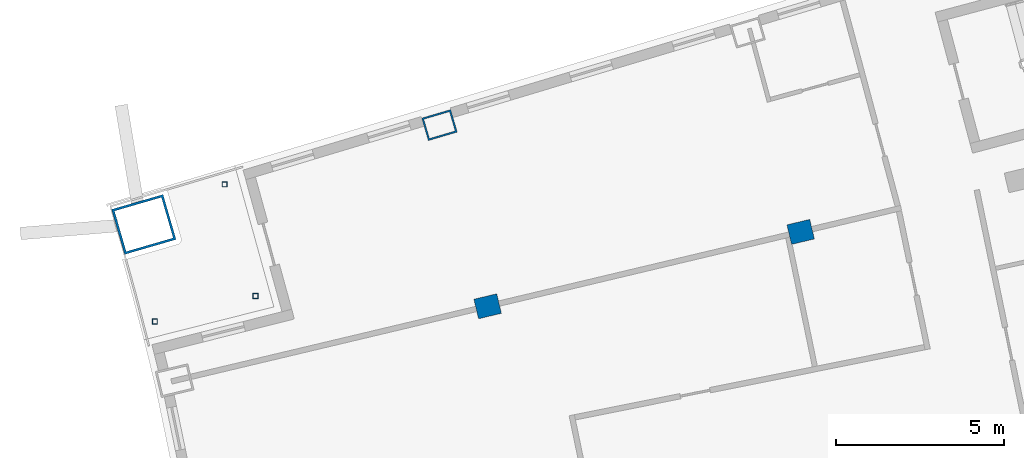
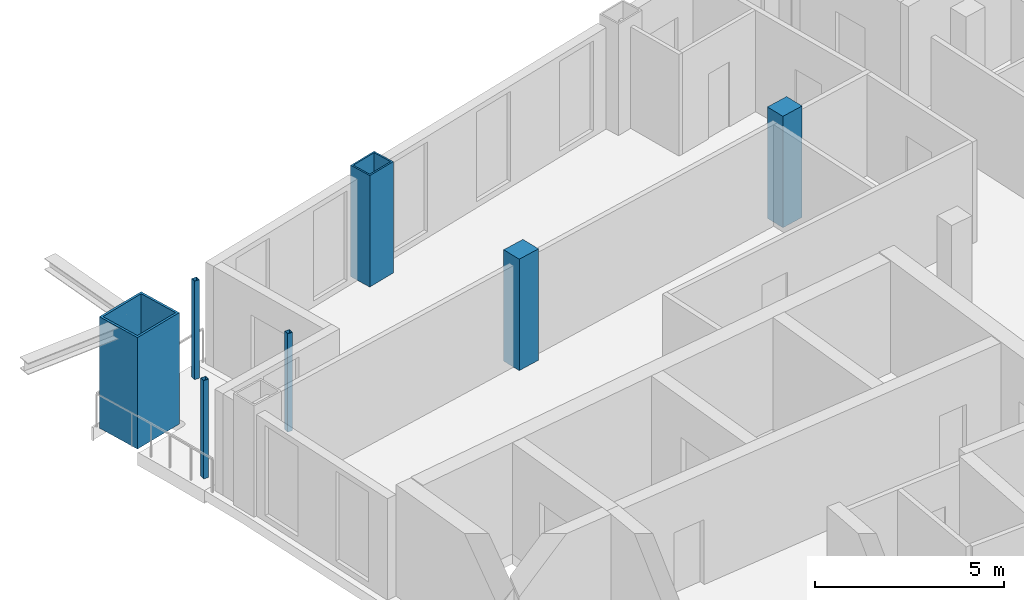
# One storey, part 3 of 15: 7 columns.
"""IFC4 building model written with IfcOpenShell, lengths in metres."""

from ifc_helpers import new_model, si_unit, direction, frame, origin, origin_2d, place, context, subcontext, project, spatial, rectangle, hollow_rectangle, extrude, material, material_profile, profile_set, type_object, element, save


model = new_model("IFC4")

# Units and contexts
model_context = context("Model", 3, precision=1e-05, world=origin(), true_north=direction((0.0, 1.0)))
body_context = subcontext(model_context, "Body", "Model", "MODEL_VIEW")
ifc_project = project(units=[si_unit("LENGTHUNIT", "METRE"), si_unit("AREAUNIT", "SQUARE_METRE"), si_unit("VOLUMEUNIT", "CUBIC_METRE"), si_unit("PLANEANGLEUNIT", "RADIAN"), si_unit("MASSUNIT", "GRAM", prefix="KILO")], contexts=[model_context])

# Site, building, storey
site_placement = place(None, origin())
site = spatial("IfcSite", under=ifc_project, at=site_placement, CompositionType="ELEMENT")
building_placement = place(site_placement, origin())
building = spatial("IfcBuilding", under=site, at=building_placement, Name="Alderwake Tower", CompositionType="ELEMENT")
storey_placement = place(building_placement, frame((0.0, 0.0, 285.199951171875)))
storey = spatial("IfcBuildingStorey", under=building, at=storey_placement, Name="L71", CompositionType="ELEMENT", Elevation=285.199951171875)

# Columns
ifc_material_1 = material(Name="Steel ASTM A572 Grade 50 concrete filled C70/85", Category="concrete")
ifc_material_profile_1 = material_profile(ifc_material_1, hollow_rectangle(XDim=0.699951171875, YDim=0.89990234375, WallThickness=0.050048828125, at=origin_2d()), Name="BOX 900X700X50")
ifc_profile_set_1 = profile_set([ifc_material_profile_1], Name="Steel ASTM A572 Grade 50 concrete filled C70/85")
column_type_1 = type_object("IfcColumnType", Name="End column Z5", PredefinedType="COLUMN", material=ifc_profile_set_1)
column_1_placement = place(storey_placement, frame((21.885498046875, 90.96240234375, 0.0), z_axis=(0.0, 0.0, 1.0), x_axis=(-0.282132160283, 0.95937554906, 0.0)))
element("IfcColumn", 1, at=column_1_placement, inside=storey, type_object=column_type_1, Name="Column R12-C1", PredefinedType="COLUMN", context=body_context, shape_type="SweptSolid", body=[
    extrude(hollow_rectangle(XDim=0.699951171875, YDim=0.89990234375, WallThickness=0.050048828125, at=origin_2d()), origin(), (0.0, 0.0, 1.0), 3.60009765625),
])
ifc_material_2 = material(Name="Concrete C70/85", Category="concrete")
ifc_material_profile_2 = material_profile(ifc_material_2, rectangle(XDim=0.60009765625, YDim=0.699951171875, at=origin_2d()), Name="RC 700X600")
ifc_profile_set_2 = profile_set([ifc_material_profile_2], Name="Concrete C70/85")
column_type_2 = type_object("IfcColumnType", Name="Interior column Z5", PredefinedType="COLUMN", material=ifc_profile_set_2)
for number, where, z_axis, x_axis, name in (
    (2, (23.322021484375, 85.555908203125, 0.0), (0.0, 0.0, 1.0), (-0.231221547198, 0.972901123502, 0.0), "Column R11-C1"),
    (3, (32.661865234375, 87.775390625, 0.0), (0.0, 0.0, 1.0), (-0.231221547198, 0.972901123502, 0.0), "Column R11-C2"),
):
    element("IfcColumn", number, at=place(storey_placement, frame(where, z_axis=z_axis, x_axis=x_axis)), inside=storey, type_object=column_type_2, Name=name, PredefinedType="COLUMN", context=body_context, shape_type="SweptSolid", body=[
        extrude(rectangle(XDim=0.60009765625, YDim=0.699951171875, at=origin_2d()), origin(), (0.0, 0.0, 1.0), 3.60009765625),
    ])
ifc_material_3 = material(Name="Steel ASTM A500 Grade C", Category="steel")
ifc_material_profile_3 = material_profile(ifc_material_3, hollow_rectangle(XDim=0.15234375, YDim=0.15234375, WallThickness=0.0087890625, at=origin_2d()), Name="HSS6X6X3/8")
ifc_profile_set_3 = profile_set([ifc_material_profile_3], Name="Steel ASTM A500 Grade C")
column_type_3 = type_object("IfcColumnType", Name="Light post HSS6X6X3/8", PredefinedType="COLUMN", material=ifc_profile_set_3)
for number, where, z_axis, x_axis, name in (
    (4, (13.3896484375, 85.103515625, 0.0), (0.0, 0.0, 1.0), (1.0, 0.0, 0.0), "Terrace post RN1"),
    (5, (15.47412109375, 89.194091796875, 0.0), (0.0, 0.0, 1.0), (1.0, 0.0, 0.0), "Terrace post RN2"),
    (6, (16.39501953125, 85.864013671875, 0.0), (0.0, 0.0, 1.0), (1.0, 0.0, 0.0), "Terrace post RN3"),
):
    element("IfcColumn", number, at=place(storey_placement, frame(where, z_axis=z_axis, x_axis=x_axis)), inside=storey, type_object=column_type_3, Name=name, PredefinedType="COLUMN", context=body_context, shape_type="SweptSolid", body=[
        extrude(hollow_rectangle(XDim=0.15234375, YDim=0.15234375, WallThickness=0.0087890625, at=origin_2d()), origin(), (0.0, 0.0, 1.0), 3.179931640625),
    ])
ifc_material_4 = material(Name="Steel ASTM A572 Grade 50 concrete filled C70/85", Category="concrete")
ifc_material_profile_4 = material_profile(ifc_material_4, hollow_rectangle(XDim=1.39990234375, YDim=1.60009765625, WallThickness=0.070068359375, at=origin_2d()), Name="BOX 1600X1400X70")
ifc_profile_set_4 = profile_set([ifc_material_profile_4], Name="Steel ASTM A572 Grade 50 concrete filled C70/85")
column_type_4 = type_object("IfcColumnType", Name="Mega column Z5", PredefinedType="COLUMN", material=ifc_profile_set_4)
column_2_placement = place(storey_placement, frame((13.06298828125, 87.99755859375, 0.0), z_axis=(0.0, 0.0, 1.0), x_axis=(-0.278612301868, 0.960403657452, 0.0)))
element("IfcColumn", 7, at=column_2_placement, inside=storey, type_object=column_type_4, Name="Column R12-C0", PredefinedType="COLUMN", context=body_context, shape_type="SweptSolid", body=[
    extrude(hollow_rectangle(XDim=1.39990234375, YDim=1.60009765625, WallThickness=0.070068359375, at=origin_2d()), origin(), (0.0, 0.0, 1.0), 3.60009765625),
])

save(model, "model.ifc")
